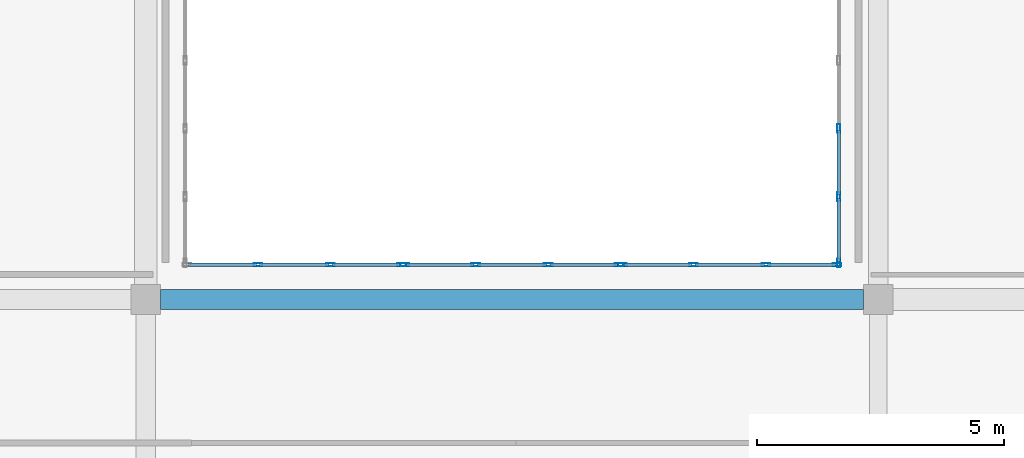
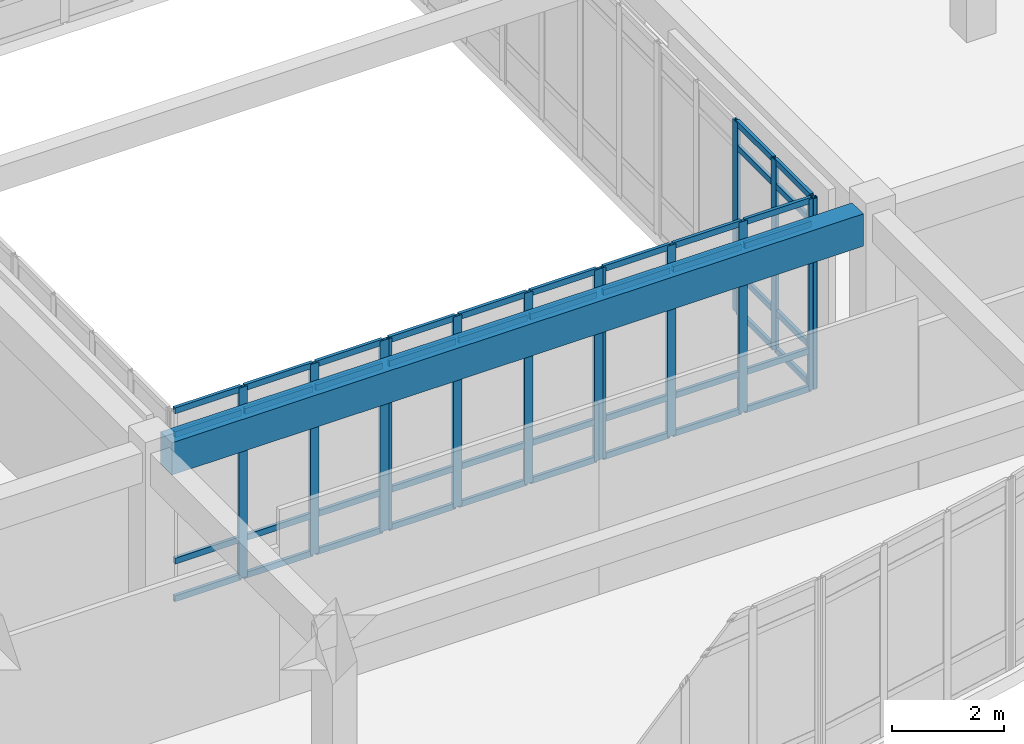
# One storey, part 85 of 142: 58 members, 1 beam, 4 elements without a shape of their own.
"""IFC4 building model written with IfcOpenShell, lengths in metres."""

from ifc_helpers import new_model, si_unit, direction, frame, origin, origin_2d, place, context, subcontext, project, spatial, rectangle, hollow_rectangle, extrude, material, layer, layer_set, material_profile, profile_set, type_object, element, aggregate, save


model = new_model("IFC4")

# Units and contexts
model_context = context("Model", 3, precision=1e-05, world=origin(), true_north=direction((0.0, 1.0)))
body_context = subcontext(model_context, "Body", "Model", "MODEL_VIEW")
ifc_project = project(units=[si_unit("LENGTHUNIT", "METRE"), si_unit("AREAUNIT", "SQUARE_METRE"), si_unit("VOLUMEUNIT", "CUBIC_METRE"), si_unit("PLANEANGLEUNIT", "RADIAN"), si_unit("MASSUNIT", "GRAM", prefix="KILO")], contexts=[model_context])

# Site, building, storey
site_placement = place(None, origin())
site = spatial("IfcSite", under=ifc_project, at=site_placement, CompositionType="ELEMENT")
building_placement = place(site_placement, origin())
building = spatial("IfcBuilding", under=site, at=building_placement, Name="Valcora Specialist Clinic", CompositionType="ELEMENT")
storey_placement = place(building_placement, frame((0.0, 0.0, 5.10009765625)))
storey = spatial("IfcBuildingStorey", under=building, at=storey_placement, Name="L01", CompositionType="ELEMENT", Elevation=5.10009765625)

# Beam
ifc_material_1 = material(Name="Concrete C40/50", Category="concrete")
ifc_material_profile_1 = material_profile(ifc_material_1, rectangle(XDim=0.39990234375, YDim=0.699951171875, at=origin_2d()), Name="RC-BM-400X700")
ifc_profile_set_1 = profile_set([ifc_material_profile_1], Name="Concrete C40/50")
beam_type = type_object("IfcBeamType", Name="TY-BM-RC400X700", PredefinedType="BEAM", material=ifc_profile_set_1)
beam_placement = place(storey_placement, frame((111.5, 81.300048828125, 3.794921875), z_axis=(1.0, 0.0, 0.0), x_axis=(0.0, 1.0, 0.0)))
element("IfcBeam", 1, at=beam_placement, inside=storey, type_object=beam_type, Name="Beam BM-L01-0628", PredefinedType="BEAM", context=body_context, shape_type="SweptSolid", body=[
    extrude(rectangle(XDim=0.39990234375, YDim=0.699951171875, at=origin_2d()), origin(), (0.0, 0.0, 1.0), 14.199951171875),
])

# Curtain wall, members
ifc_material_2 = material(Name="Anodized Bronze Aluminium 6063-T6", Category="aluminium")
ifc_layer = layer(ifc_material_2, 0.175048828125)
ifc_layer_set = layer_set([ifc_layer], Name="Anodized Bronze Aluminium 6063-T6")
curtain_wall_type = type_object("IfcCurtainWallType", Name="TY-CW-CRT15", PredefinedType="NOTDEFINED", material=ifc_layer_set)
curtain_wall_1_placement = place(storey_placement, origin())
curtain_wall_1 = element("IfcCurtainWall", 2, at=curtain_wall_1_placement, inside=storey, type_object=curtain_wall_type, Name="Curtain wall CW-L01-073", PredefinedType="NOTDEFINED")
ifc_material_profile_2 = material_profile(ifc_material_2, hollow_rectangle(XDim=0.06494140625, YDim=0.175048828125, WallThickness=0.00390625, at=origin_2d()), Name="AL-MUL-65X175")
ifc_profile_set_2 = profile_set([ifc_material_profile_2], Name="Anodized Bronze Aluminium 6063-T6")
member_type_1 = type_object("IfcMemberType", Name="TY-CWM-65X175", PredefinedType="MULLION", material=ifc_profile_set_2)
member_1_placement = place(storey_placement, frame((113.466552734375, 82.0, 0.0), z_axis=(0.0, 0.0, 1.0), x_axis=(0.0, 1.0, 0.0)))
member_1 = element("IfcMember", 3, at=member_1_placement, type_object=member_type_1, Name="CW-CRT-15 mullion 2", PredefinedType="MULLION", context=body_context, shape_type="SweptSolid", body=[
    extrude(hollow_rectangle(XDim=0.06494140625, YDim=0.175048828125, WallThickness=0.00390625, at=origin_2d()), origin(), (0.0, 0.0, 1.0), 4.14501953125),
])
member_2_placement = place(storey_placement, frame((114.933349609375, 82.0, 0.0), z_axis=(0.0, 0.0, 1.0), x_axis=(0.0, 1.0, 0.0)))
member_2 = element("IfcMember", 4, at=member_2_placement, type_object=member_type_1, Name="CW-CRT-15 mullion 3", PredefinedType="MULLION", context=body_context, shape_type="SweptSolid", body=[
    extrude(hollow_rectangle(XDim=0.06494140625, YDim=0.175048828125, WallThickness=0.00390625, at=origin_2d()), origin(), (0.0, 0.0, 1.0), 4.14501953125),
])
member_3_placement = place(storey_placement, frame((116.367431640625, 82.0, 0.0), z_axis=(0.0, 0.0, 1.0), x_axis=(0.0, 1.0, 0.0)))
member_3 = element("IfcMember", 5, at=member_3_placement, type_object=member_type_1, Name="CW-CRT-15 mullion 4", PredefinedType="MULLION", context=body_context, shape_type="SweptSolid", body=[
    extrude(hollow_rectangle(XDim=0.06494140625, YDim=0.175048828125, WallThickness=0.00390625, at=origin_2d()), origin(), (0.0, 0.0, 1.0), 4.14501953125),
])

curtain_wall_2_placement = place(storey_placement, origin())
curtain_wall_2 = element("IfcCurtainWall", 6, at=curtain_wall_2_placement, inside=storey, type_object=curtain_wall_type, Name="Curtain wall CW-L01-074", PredefinedType="NOTDEFINED")
member_4_placement = place(storey_placement, frame((116.4326171875, 82.0, 0.0), z_axis=(0.0, 0.0, 1.0), x_axis=(0.0, 1.0, 0.0)))
member_4 = element("IfcMember", 7, at=member_4_placement, type_object=member_type_1, Name="CW-CRT-15 mullion 1", PredefinedType="MULLION", context=body_context, shape_type="SweptSolid", body=[
    extrude(hollow_rectangle(XDim=0.06494140625, YDim=0.175048828125, WallThickness=0.00390625, at=origin_2d()), origin(), (0.0, 0.0, 1.0), 4.14501953125),
])
member_5_placement = place(storey_placement, frame((117.86669921875, 82.0, 0.0), z_axis=(0.0, 0.0, 1.0), x_axis=(0.0, 1.0, 0.0)))
member_5 = element("IfcMember", 8, at=member_5_placement, type_object=member_type_1, Name="CW-CRT-15 mullion 2", PredefinedType="MULLION", context=body_context, shape_type="SweptSolid", body=[
    extrude(hollow_rectangle(XDim=0.06494140625, YDim=0.175048828125, WallThickness=0.00390625, at=origin_2d()), origin(), (0.0, 0.0, 1.0), 4.14501953125),
])
member_6_placement = place(storey_placement, frame((119.333251953125, 82.0, 0.0), z_axis=(0.0, 0.0, 1.0), x_axis=(0.0, 1.0, 0.0)))
member_6 = element("IfcMember", 9, at=member_6_placement, type_object=member_type_1, Name="CW-CRT-15 mullion 3", PredefinedType="MULLION", context=body_context, shape_type="SweptSolid", body=[
    extrude(hollow_rectangle(XDim=0.06494140625, YDim=0.175048828125, WallThickness=0.00390625, at=origin_2d()), origin(), (0.0, 0.0, 1.0), 4.14501953125),
])
member_7_placement = place(storey_placement, frame((120.767578125, 82.0, 0.0), z_axis=(0.0, 0.0, 1.0), x_axis=(0.0, 1.0, 0.0)))
member_7 = element("IfcMember", 10, at=member_7_placement, type_object=member_type_1, Name="CW-CRT-15 mullion 4", PredefinedType="MULLION", context=body_context, shape_type="SweptSolid", body=[
    extrude(hollow_rectangle(XDim=0.06494140625, YDim=0.175048828125, WallThickness=0.00390625, at=origin_2d()), origin(), (0.0, 0.0, 1.0), 4.14501953125),
])

curtain_wall_3_placement = place(storey_placement, origin())
curtain_wall_3 = element("IfcCurtainWall", 11, at=curtain_wall_3_placement, inside=storey, type_object=curtain_wall_type, Name="Curtain wall CW-L01-075", PredefinedType="NOTDEFINED")
member_8_placement = place(storey_placement, frame((120.83251953125, 82.0, 0.0), z_axis=(0.0, 0.0, 1.0), x_axis=(0.0, 1.0, 0.0)))
member_8 = element("IfcMember", 12, at=member_8_placement, type_object=member_type_1, Name="CW-CRT-15 mullion 1", PredefinedType="MULLION", context=body_context, shape_type="SweptSolid", body=[
    extrude(hollow_rectangle(XDim=0.06494140625, YDim=0.175048828125, WallThickness=0.00390625, at=origin_2d()), origin(), (0.0, 0.0, 1.0), 4.14501953125),
])
member_9_placement = place(storey_placement, frame((122.2666015625, 82.0, 0.0), z_axis=(0.0, 0.0, 1.0), x_axis=(0.0, 1.0, 0.0)))
member_9 = element("IfcMember", 13, at=member_9_placement, type_object=member_type_1, Name="CW-CRT-15 mullion 2", PredefinedType="MULLION", context=body_context, shape_type="SweptSolid", body=[
    extrude(hollow_rectangle(XDim=0.06494140625, YDim=0.175048828125, WallThickness=0.00390625, at=origin_2d()), origin(), (0.0, 0.0, 1.0), 4.14501953125),
])
member_10_placement = place(storey_placement, frame((123.7333984375, 82.0, 0.0), z_axis=(0.0, 0.0, 1.0), x_axis=(0.0, 1.0, 0.0)))
member_10 = element("IfcMember", 14, at=member_10_placement, type_object=member_type_1, Name="CW-CRT-15 mullion 3", PredefinedType="MULLION", context=body_context, shape_type="SweptSolid", body=[
    extrude(hollow_rectangle(XDim=0.06494140625, YDim=0.175048828125, WallThickness=0.00390625, at=origin_2d()), origin(), (0.0, 0.0, 1.0), 4.14501953125),
])
member_11_placement = place(storey_placement, frame((125.16748046875, 82.0, 0.0), z_axis=(0.0, 0.0, 1.0), x_axis=(0.0, 1.0, 0.0)))
member_11 = element("IfcMember", 15, at=member_11_placement, type_object=member_type_1, Name="CW-CRT-15 mullion 4", PredefinedType="MULLION", context=body_context, shape_type="SweptSolid", body=[
    extrude(hollow_rectangle(XDim=0.06494140625, YDim=0.175048828125, WallThickness=0.00390625, at=origin_2d()), origin(), (0.0, 0.0, 1.0), 4.14501953125),
])

curtain_wall_4_placement = place(storey_placement, origin())
curtain_wall_4 = element("IfcCurtainWall", 16, at=curtain_wall_4_placement, inside=storey, type_object=curtain_wall_type, Name="Curtain wall CW-L01-076", PredefinedType="NOTDEFINED")
member_12_placement = place(storey_placement, frame((125.199951171875, 82.032470703125, 0.0), z_axis=(0.0, 0.0, 1.0), x_axis=(-1.0, 0.0, 0.0)))
member_12 = element("IfcMember", 17, at=member_12_placement, type_object=member_type_1, Name="CW-CRT-15 mullion 1", PredefinedType="MULLION", context=body_context, shape_type="SweptSolid", body=[
    extrude(hollow_rectangle(XDim=0.06494140625, YDim=0.175048828125, WallThickness=0.00390625, at=origin_2d()), origin(), (0.0, 0.0, 1.0), 4.14501953125),
])
member_13_placement = place(storey_placement, frame((125.199951171875, 83.375, 0.0), z_axis=(0.0, 0.0, 1.0), x_axis=(-1.0, 0.0, 0.0)))
member_13 = element("IfcMember", 18, at=member_13_placement, type_object=member_type_1, Name="CW-CRT-15 mullion 2", PredefinedType="MULLION", context=body_context, shape_type="SweptSolid", body=[
    extrude(hollow_rectangle(XDim=0.06494140625, YDim=0.175048828125, WallThickness=0.00390625, at=origin_2d()), origin(), (0.0, 0.0, 1.0), 4.14501953125),
])
member_14_placement = place(storey_placement, frame((125.199951171875, 84.75, 0.0), z_axis=(0.0, 0.0, 1.0), x_axis=(-1.0, 0.0, 0.0)))
member_14 = element("IfcMember", 19, at=member_14_placement, type_object=member_type_1, Name="CW-CRT-15 mullion 3", PredefinedType="MULLION", context=body_context, shape_type="SweptSolid", body=[
    extrude(hollow_rectangle(XDim=0.06494140625, YDim=0.175048828125, WallThickness=0.00390625, at=origin_2d()), origin(), (0.0, 0.0, 1.0), 4.14501953125),
])

# Member
ifc_material_profile_3 = material_profile(ifc_material_2, hollow_rectangle(XDim=0.06494140625, YDim=0.1298828125, WallThickness=0.00390625, at=origin_2d()), Name="AL-TRN-65X130")
ifc_profile_set_3 = profile_set([ifc_material_profile_3], Name="Anodized Bronze Aluminium 6063-T6")
member_type_2 = type_object("IfcMemberType", Name="TY-CWT-65X130", PredefinedType="USERDEFINED", material=ifc_profile_set_3)
member_15_placement = place(storey_placement, frame((112.06494140625, 82.0, 0.032470703125), z_axis=(1.0, 0.0, 0.0), x_axis=(0.0, 1.0, 0.0)))
member_15 = element("IfcMember", 20, at=member_15_placement, type_object=member_type_2, Name="CW-CRT-15 transom 1.1", ObjectType="TRANSOM", PredefinedType="USERDEFINED", context=body_context, shape_type="SweptSolid", body=[
    extrude(hollow_rectangle(XDim=0.06494140625, YDim=0.1298828125, WallThickness=0.00390625, at=origin_2d()), origin(), (0.0, 0.0, 1.0), 1.369140625),
])

member_16_placement = place(storey_placement, frame((112.06494140625, 82.0, 0.849853515625), z_axis=(1.0, 0.0, 0.0), x_axis=(0.0, 1.0, 0.0)))
member_16 = element("IfcMember", 21, at=member_16_placement, type_object=member_type_2, Name="CW-CRT-15 transom 1.2", ObjectType="TRANSOM", PredefinedType="USERDEFINED", context=body_context, shape_type="SweptSolid", body=[
    extrude(hollow_rectangle(XDim=0.06494140625, YDim=0.1298828125, WallThickness=0.00390625, at=origin_2d()), origin(), (0.0, 0.0, 1.0), 1.369140625),
])

member_17_placement = place(storey_placement, frame((112.06494140625, 82.0, 3.594970703125), z_axis=(1.0, 0.0, 0.0), x_axis=(0.0, 1.0, 0.0)))
member_17 = element("IfcMember", 22, at=member_17_placement, type_object=member_type_2, Name="CW-CRT-15 transom 1.3", ObjectType="TRANSOM", PredefinedType="USERDEFINED", context=body_context, shape_type="SweptSolid", body=[
    extrude(hollow_rectangle(XDim=0.06494140625, YDim=0.1298828125, WallThickness=0.00390625, at=origin_2d()), origin(), (0.0, 0.0, 1.0), 1.369140625),
])

member_18_placement = place(storey_placement, frame((112.06494140625, 82.0, 4.1123046875), z_axis=(1.0, 0.0, 0.0), x_axis=(0.0, 1.0, 0.0)))
member_18 = element("IfcMember", 23, at=member_18_placement, type_object=member_type_2, Name="CW-CRT-15 transom 1.4", ObjectType="TRANSOM", PredefinedType="USERDEFINED", context=body_context, shape_type="SweptSolid", body=[
    extrude(hollow_rectangle(XDim=0.06494140625, YDim=0.1298828125, WallThickness=0.00390625, at=origin_2d()), origin(), (0.0, 0.0, 1.0), 1.369140625),
])

member_19_placement = place(storey_placement, frame((113.499267578125, 82.0, 0.032470703125), z_axis=(1.0, 0.0, 0.0), x_axis=(0.0, 1.0, 0.0)))
member_19 = element("IfcMember", 24, at=member_19_placement, type_object=member_type_2, Name="CW-CRT-15 transom 2.1", ObjectType="TRANSOM", PredefinedType="USERDEFINED", context=body_context, shape_type="SweptSolid", body=[
    extrude(hollow_rectangle(XDim=0.06494140625, YDim=0.1298828125, WallThickness=0.00390625, at=origin_2d()), origin(), (0.0, 0.0, 1.0), 1.401611328125),
])

member_20_placement = place(storey_placement, frame((113.499267578125, 82.0, 0.849853515625), z_axis=(1.0, 0.0, 0.0), x_axis=(0.0, 1.0, 0.0)))
member_20 = element("IfcMember", 25, at=member_20_placement, type_object=member_type_2, Name="CW-CRT-15 transom 2.2", ObjectType="TRANSOM", PredefinedType="USERDEFINED", context=body_context, shape_type="SweptSolid", body=[
    extrude(hollow_rectangle(XDim=0.06494140625, YDim=0.1298828125, WallThickness=0.00390625, at=origin_2d()), origin(), (0.0, 0.0, 1.0), 1.401611328125),
])

member_21_placement = place(storey_placement, frame((113.499267578125, 82.0, 3.594970703125), z_axis=(1.0, 0.0, 0.0), x_axis=(0.0, 1.0, 0.0)))
member_21 = element("IfcMember", 26, at=member_21_placement, type_object=member_type_2, Name="CW-CRT-15 transom 2.3", ObjectType="TRANSOM", PredefinedType="USERDEFINED", context=body_context, shape_type="SweptSolid", body=[
    extrude(hollow_rectangle(XDim=0.06494140625, YDim=0.1298828125, WallThickness=0.00390625, at=origin_2d()), origin(), (0.0, 0.0, 1.0), 1.401611328125),
])

member_22_placement = place(storey_placement, frame((113.499267578125, 82.0, 4.1123046875), z_axis=(1.0, 0.0, 0.0), x_axis=(0.0, 1.0, 0.0)))
member_22 = element("IfcMember", 27, at=member_22_placement, type_object=member_type_2, Name="CW-CRT-15 transom 2.4", ObjectType="TRANSOM", PredefinedType="USERDEFINED", context=body_context, shape_type="SweptSolid", body=[
    extrude(hollow_rectangle(XDim=0.06494140625, YDim=0.1298828125, WallThickness=0.00390625, at=origin_2d()), origin(), (0.0, 0.0, 1.0), 1.401611328125),
])

member_23_placement = place(storey_placement, frame((114.9658203125, 82.0, 0.032470703125), z_axis=(1.0, 0.0, 0.0), x_axis=(0.0, 1.0, 0.0)))
member_23 = element("IfcMember", 28, at=member_23_placement, type_object=member_type_2, Name="CW-CRT-15 transom 3.1", ObjectType="TRANSOM", PredefinedType="USERDEFINED", context=body_context, shape_type="SweptSolid", body=[
    extrude(hollow_rectangle(XDim=0.06494140625, YDim=0.1298828125, WallThickness=0.00390625, at=origin_2d()), origin(), (0.0, 0.0, 1.0), 1.369140625),
])

member_24_placement = place(storey_placement, frame((114.9658203125, 82.0, 0.849853515625), z_axis=(1.0, 0.0, 0.0), x_axis=(0.0, 1.0, 0.0)))
member_24 = element("IfcMember", 29, at=member_24_placement, type_object=member_type_2, Name="CW-CRT-15 transom 3.2", ObjectType="TRANSOM", PredefinedType="USERDEFINED", context=body_context, shape_type="SweptSolid", body=[
    extrude(hollow_rectangle(XDim=0.06494140625, YDim=0.1298828125, WallThickness=0.00390625, at=origin_2d()), origin(), (0.0, 0.0, 1.0), 1.369140625),
])

member_25_placement = place(storey_placement, frame((114.9658203125, 82.0, 3.594970703125), z_axis=(1.0, 0.0, 0.0), x_axis=(0.0, 1.0, 0.0)))
member_25 = element("IfcMember", 30, at=member_25_placement, type_object=member_type_2, Name="CW-CRT-15 transom 3.3", ObjectType="TRANSOM", PredefinedType="USERDEFINED", context=body_context, shape_type="SweptSolid", body=[
    extrude(hollow_rectangle(XDim=0.06494140625, YDim=0.1298828125, WallThickness=0.00390625, at=origin_2d()), origin(), (0.0, 0.0, 1.0), 1.369140625),
])

member_26_placement = place(storey_placement, frame((114.9658203125, 82.0, 4.1123046875), z_axis=(1.0, 0.0, 0.0), x_axis=(0.0, 1.0, 0.0)))
member_26 = element("IfcMember", 31, at=member_26_placement, type_object=member_type_2, Name="CW-CRT-15 transom 3.4", ObjectType="TRANSOM", PredefinedType="USERDEFINED", context=body_context, shape_type="SweptSolid", body=[
    extrude(hollow_rectangle(XDim=0.06494140625, YDim=0.1298828125, WallThickness=0.00390625, at=origin_2d()), origin(), (0.0, 0.0, 1.0), 1.369140625),
])

aggregate(curtain_wall_1, [member_1, member_2, member_3, member_15, member_16, member_17, member_18, member_19, member_20, member_21, member_22, member_23, member_24, member_25, member_26])

member_27_placement = place(storey_placement, frame((116.465087890625, 82.0, 0.032470703125), z_axis=(1.0, 0.0, 0.0), x_axis=(0.0, 1.0, 0.0)))
member_27 = element("IfcMember", 32, at=member_27_placement, type_object=member_type_2, Name="CW-CRT-15 transom 1.1", ObjectType="TRANSOM", PredefinedType="USERDEFINED", context=body_context, shape_type="SweptSolid", body=[
    extrude(hollow_rectangle(XDim=0.06494140625, YDim=0.1298828125, WallThickness=0.00390625, at=origin_2d()), origin(), (0.0, 0.0, 1.0), 1.369140625),
])

member_28_placement = place(storey_placement, frame((116.465087890625, 82.0, 0.849853515625), z_axis=(1.0, 0.0, 0.0), x_axis=(0.0, 1.0, 0.0)))
member_28 = element("IfcMember", 33, at=member_28_placement, type_object=member_type_2, Name="CW-CRT-15 transom 1.2", ObjectType="TRANSOM", PredefinedType="USERDEFINED", context=body_context, shape_type="SweptSolid", body=[
    extrude(hollow_rectangle(XDim=0.06494140625, YDim=0.1298828125, WallThickness=0.00390625, at=origin_2d()), origin(), (0.0, 0.0, 1.0), 1.369140625),
])

member_29_placement = place(storey_placement, frame((116.465087890625, 82.0, 3.594970703125), z_axis=(1.0, 0.0, 0.0), x_axis=(0.0, 1.0, 0.0)))
member_29 = element("IfcMember", 34, at=member_29_placement, type_object=member_type_2, Name="CW-CRT-15 transom 1.3", ObjectType="TRANSOM", PredefinedType="USERDEFINED", context=body_context, shape_type="SweptSolid", body=[
    extrude(hollow_rectangle(XDim=0.06494140625, YDim=0.1298828125, WallThickness=0.00390625, at=origin_2d()), origin(), (0.0, 0.0, 1.0), 1.369140625),
])

member_30_placement = place(storey_placement, frame((116.465087890625, 82.0, 4.1123046875), z_axis=(1.0, 0.0, 0.0), x_axis=(0.0, 1.0, 0.0)))
member_30 = element("IfcMember", 35, at=member_30_placement, type_object=member_type_2, Name="CW-CRT-15 transom 1.4", ObjectType="TRANSOM", PredefinedType="USERDEFINED", context=body_context, shape_type="SweptSolid", body=[
    extrude(hollow_rectangle(XDim=0.06494140625, YDim=0.1298828125, WallThickness=0.00390625, at=origin_2d()), origin(), (0.0, 0.0, 1.0), 1.369140625),
])

member_31_placement = place(storey_placement, frame((117.899169921875, 82.0, 0.032470703125), z_axis=(1.0, 0.0, 0.0), x_axis=(0.0, 1.0, 0.0)))
member_31 = element("IfcMember", 36, at=member_31_placement, type_object=member_type_2, Name="CW-CRT-15 transom 2.1", ObjectType="TRANSOM", PredefinedType="USERDEFINED", context=body_context, shape_type="SweptSolid", body=[
    extrude(hollow_rectangle(XDim=0.06494140625, YDim=0.1298828125, WallThickness=0.00390625, at=origin_2d()), origin(), (0.0, 0.0, 1.0), 1.401611328125),
])

member_32_placement = place(storey_placement, frame((117.899169921875, 82.0, 0.849853515625), z_axis=(1.0, 0.0, 0.0), x_axis=(0.0, 1.0, 0.0)))
member_32 = element("IfcMember", 37, at=member_32_placement, type_object=member_type_2, Name="CW-CRT-15 transom 2.2", ObjectType="TRANSOM", PredefinedType="USERDEFINED", context=body_context, shape_type="SweptSolid", body=[
    extrude(hollow_rectangle(XDim=0.06494140625, YDim=0.1298828125, WallThickness=0.00390625, at=origin_2d()), origin(), (0.0, 0.0, 1.0), 1.401611328125),
])

member_33_placement = place(storey_placement, frame((117.899169921875, 82.0, 3.594970703125), z_axis=(1.0, 0.0, 0.0), x_axis=(0.0, 1.0, 0.0)))
member_33 = element("IfcMember", 38, at=member_33_placement, type_object=member_type_2, Name="CW-CRT-15 transom 2.3", ObjectType="TRANSOM", PredefinedType="USERDEFINED", context=body_context, shape_type="SweptSolid", body=[
    extrude(hollow_rectangle(XDim=0.06494140625, YDim=0.1298828125, WallThickness=0.00390625, at=origin_2d()), origin(), (0.0, 0.0, 1.0), 1.401611328125),
])

member_34_placement = place(storey_placement, frame((117.899169921875, 82.0, 4.1123046875), z_axis=(1.0, 0.0, 0.0), x_axis=(0.0, 1.0, 0.0)))
member_34 = element("IfcMember", 39, at=member_34_placement, type_object=member_type_2, Name="CW-CRT-15 transom 2.4", ObjectType="TRANSOM", PredefinedType="USERDEFINED", context=body_context, shape_type="SweptSolid", body=[
    extrude(hollow_rectangle(XDim=0.06494140625, YDim=0.1298828125, WallThickness=0.00390625, at=origin_2d()), origin(), (0.0, 0.0, 1.0), 1.401611328125),
])

member_35_placement = place(storey_placement, frame((119.36572265625, 82.0, 0.032470703125), z_axis=(1.0, 0.0, 0.0), x_axis=(0.0, 1.0, 0.0)))
member_35 = element("IfcMember", 40, at=member_35_placement, type_object=member_type_2, Name="CW-CRT-15 transom 3.1", ObjectType="TRANSOM", PredefinedType="USERDEFINED", context=body_context, shape_type="SweptSolid", body=[
    extrude(hollow_rectangle(XDim=0.06494140625, YDim=0.1298828125, WallThickness=0.00390625, at=origin_2d()), origin(), (0.0, 0.0, 1.0), 1.369384765625),
])

member_36_placement = place(storey_placement, frame((119.36572265625, 82.0, 0.849853515625), z_axis=(1.0, 0.0, 0.0), x_axis=(0.0, 1.0, 0.0)))
member_36 = element("IfcMember", 41, at=member_36_placement, type_object=member_type_2, Name="CW-CRT-15 transom 3.2", ObjectType="TRANSOM", PredefinedType="USERDEFINED", context=body_context, shape_type="SweptSolid", body=[
    extrude(hollow_rectangle(XDim=0.06494140625, YDim=0.1298828125, WallThickness=0.00390625, at=origin_2d()), origin(), (0.0, 0.0, 1.0), 1.369384765625),
])

member_37_placement = place(storey_placement, frame((119.36572265625, 82.0, 3.594970703125), z_axis=(1.0, 0.0, 0.0), x_axis=(0.0, 1.0, 0.0)))
member_37 = element("IfcMember", 42, at=member_37_placement, type_object=member_type_2, Name="CW-CRT-15 transom 3.3", ObjectType="TRANSOM", PredefinedType="USERDEFINED", context=body_context, shape_type="SweptSolid", body=[
    extrude(hollow_rectangle(XDim=0.06494140625, YDim=0.1298828125, WallThickness=0.00390625, at=origin_2d()), origin(), (0.0, 0.0, 1.0), 1.369384765625),
])

member_38_placement = place(storey_placement, frame((119.36572265625, 82.0, 4.1123046875), z_axis=(1.0, 0.0, 0.0), x_axis=(0.0, 1.0, 0.0)))
member_38 = element("IfcMember", 43, at=member_38_placement, type_object=member_type_2, Name="CW-CRT-15 transom 3.4", ObjectType="TRANSOM", PredefinedType="USERDEFINED", context=body_context, shape_type="SweptSolid", body=[
    extrude(hollow_rectangle(XDim=0.06494140625, YDim=0.1298828125, WallThickness=0.00390625, at=origin_2d()), origin(), (0.0, 0.0, 1.0), 1.369384765625),
])

aggregate(curtain_wall_2, [member_4, member_5, member_6, member_7, member_27, member_28, member_29, member_30, member_31, member_32, member_33, member_34, member_35, member_36, member_37, member_38])

member_39_placement = place(storey_placement, frame((120.864990234375, 82.0, 0.032470703125), z_axis=(1.0, 0.0, 0.0), x_axis=(0.0, 1.0, 0.0)))
member_39 = element("IfcMember", 44, at=member_39_placement, type_object=member_type_2, Name="CW-CRT-15 transom 1.1", ObjectType="TRANSOM", PredefinedType="USERDEFINED", context=body_context, shape_type="SweptSolid", body=[
    extrude(hollow_rectangle(XDim=0.06494140625, YDim=0.1298828125, WallThickness=0.00390625, at=origin_2d()), origin(), (0.0, 0.0, 1.0), 1.369140625),
])

member_40_placement = place(storey_placement, frame((120.864990234375, 82.0, 0.849853515625), z_axis=(1.0, 0.0, 0.0), x_axis=(0.0, 1.0, 0.0)))
member_40 = element("IfcMember", 45, at=member_40_placement, type_object=member_type_2, Name="CW-CRT-15 transom 1.2", ObjectType="TRANSOM", PredefinedType="USERDEFINED", context=body_context, shape_type="SweptSolid", body=[
    extrude(hollow_rectangle(XDim=0.06494140625, YDim=0.1298828125, WallThickness=0.00390625, at=origin_2d()), origin(), (0.0, 0.0, 1.0), 1.369140625),
])

member_41_placement = place(storey_placement, frame((120.864990234375, 82.0, 3.594970703125), z_axis=(1.0, 0.0, 0.0), x_axis=(0.0, 1.0, 0.0)))
member_41 = element("IfcMember", 46, at=member_41_placement, type_object=member_type_2, Name="CW-CRT-15 transom 1.3", ObjectType="TRANSOM", PredefinedType="USERDEFINED", context=body_context, shape_type="SweptSolid", body=[
    extrude(hollow_rectangle(XDim=0.06494140625, YDim=0.1298828125, WallThickness=0.00390625, at=origin_2d()), origin(), (0.0, 0.0, 1.0), 1.369140625),
])

member_42_placement = place(storey_placement, frame((120.864990234375, 82.0, 4.1123046875), z_axis=(1.0, 0.0, 0.0), x_axis=(0.0, 1.0, 0.0)))
member_42 = element("IfcMember", 47, at=member_42_placement, type_object=member_type_2, Name="CW-CRT-15 transom 1.4", ObjectType="TRANSOM", PredefinedType="USERDEFINED", context=body_context, shape_type="SweptSolid", body=[
    extrude(hollow_rectangle(XDim=0.06494140625, YDim=0.1298828125, WallThickness=0.00390625, at=origin_2d()), origin(), (0.0, 0.0, 1.0), 1.369140625),
])

member_43_placement = place(storey_placement, frame((122.299072265625, 82.0, 0.032470703125), z_axis=(1.0, 0.0, 0.0), x_axis=(0.0, 1.0, 0.0)))
member_43 = element("IfcMember", 48, at=member_43_placement, type_object=member_type_2, Name="CW-CRT-15 transom 2.1", ObjectType="TRANSOM", PredefinedType="USERDEFINED", context=body_context, shape_type="SweptSolid", body=[
    extrude(hollow_rectangle(XDim=0.06494140625, YDim=0.1298828125, WallThickness=0.00390625, at=origin_2d()), origin(), (0.0, 0.0, 1.0), 1.40185546875),
])

member_44_placement = place(storey_placement, frame((122.299072265625, 82.0, 0.849853515625), z_axis=(1.0, 0.0, 0.0), x_axis=(0.0, 1.0, 0.0)))
member_44 = element("IfcMember", 49, at=member_44_placement, type_object=member_type_2, Name="CW-CRT-15 transom 2.2", ObjectType="TRANSOM", PredefinedType="USERDEFINED", context=body_context, shape_type="SweptSolid", body=[
    extrude(hollow_rectangle(XDim=0.06494140625, YDim=0.1298828125, WallThickness=0.00390625, at=origin_2d()), origin(), (0.0, 0.0, 1.0), 1.40185546875),
])

member_45_placement = place(storey_placement, frame((122.299072265625, 82.0, 3.594970703125), z_axis=(1.0, 0.0, 0.0), x_axis=(0.0, 1.0, 0.0)))
member_45 = element("IfcMember", 50, at=member_45_placement, type_object=member_type_2, Name="CW-CRT-15 transom 2.3", ObjectType="TRANSOM", PredefinedType="USERDEFINED", context=body_context, shape_type="SweptSolid", body=[
    extrude(hollow_rectangle(XDim=0.06494140625, YDim=0.1298828125, WallThickness=0.00390625, at=origin_2d()), origin(), (0.0, 0.0, 1.0), 1.40185546875),
])

member_46_placement = place(storey_placement, frame((122.299072265625, 82.0, 4.1123046875), z_axis=(1.0, 0.0, 0.0), x_axis=(0.0, 1.0, 0.0)))
member_46 = element("IfcMember", 51, at=member_46_placement, type_object=member_type_2, Name="CW-CRT-15 transom 2.4", ObjectType="TRANSOM", PredefinedType="USERDEFINED", context=body_context, shape_type="SweptSolid", body=[
    extrude(hollow_rectangle(XDim=0.06494140625, YDim=0.1298828125, WallThickness=0.00390625, at=origin_2d()), origin(), (0.0, 0.0, 1.0), 1.40185546875),
])

member_47_placement = place(storey_placement, frame((123.765869140625, 82.0, 0.032470703125), z_axis=(1.0, 0.0, 0.0), x_axis=(0.0, 1.0, 0.0)))
member_47 = element("IfcMember", 52, at=member_47_placement, type_object=member_type_2, Name="CW-CRT-15 transom 3.1", ObjectType="TRANSOM", PredefinedType="USERDEFINED", context=body_context, shape_type="SweptSolid", body=[
    extrude(hollow_rectangle(XDim=0.06494140625, YDim=0.1298828125, WallThickness=0.00390625, at=origin_2d()), origin(), (0.0, 0.0, 1.0), 1.369140625),
])

member_48_placement = place(storey_placement, frame((123.765869140625, 82.0, 0.849853515625), z_axis=(1.0, 0.0, 0.0), x_axis=(0.0, 1.0, 0.0)))
member_48 = element("IfcMember", 53, at=member_48_placement, type_object=member_type_2, Name="CW-CRT-15 transom 3.2", ObjectType="TRANSOM", PredefinedType="USERDEFINED", context=body_context, shape_type="SweptSolid", body=[
    extrude(hollow_rectangle(XDim=0.06494140625, YDim=0.1298828125, WallThickness=0.00390625, at=origin_2d()), origin(), (0.0, 0.0, 1.0), 1.369140625),
])

member_49_placement = place(storey_placement, frame((123.765869140625, 82.0, 3.594970703125), z_axis=(1.0, 0.0, 0.0), x_axis=(0.0, 1.0, 0.0)))
member_49 = element("IfcMember", 54, at=member_49_placement, type_object=member_type_2, Name="CW-CRT-15 transom 3.3", ObjectType="TRANSOM", PredefinedType="USERDEFINED", context=body_context, shape_type="SweptSolid", body=[
    extrude(hollow_rectangle(XDim=0.06494140625, YDim=0.1298828125, WallThickness=0.00390625, at=origin_2d()), origin(), (0.0, 0.0, 1.0), 1.369140625),
])

member_50_placement = place(storey_placement, frame((123.765869140625, 82.0, 4.1123046875), z_axis=(1.0, 0.0, 0.0), x_axis=(0.0, 1.0, 0.0)))
member_50 = element("IfcMember", 55, at=member_50_placement, type_object=member_type_2, Name="CW-CRT-15 transom 3.4", ObjectType="TRANSOM", PredefinedType="USERDEFINED", context=body_context, shape_type="SweptSolid", body=[
    extrude(hollow_rectangle(XDim=0.06494140625, YDim=0.1298828125, WallThickness=0.00390625, at=origin_2d()), origin(), (0.0, 0.0, 1.0), 1.369140625),
])

aggregate(curtain_wall_3, [member_8, member_9, member_10, member_11, member_39, member_40, member_41, member_42, member_43, member_44, member_45, member_46, member_47, member_48, member_49, member_50])

member_51_placement = place(storey_placement, frame((125.199951171875, 82.06494140625, 0.032470703125), z_axis=(0.0, 1.0, 0.0), x_axis=(-1.0, 0.0, 0.0)))
member_51 = element("IfcMember", 56, at=member_51_placement, type_object=member_type_2, Name="CW-CRT-15 transom 1.1", ObjectType="TRANSOM", PredefinedType="USERDEFINED", context=body_context, shape_type="SweptSolid", body=[
    extrude(hollow_rectangle(XDim=0.06494140625, YDim=0.1298828125, WallThickness=0.00390625, at=origin_2d()), origin(), (0.0, 0.0, 1.0), 1.277587890625),
])

member_52_placement = place(storey_placement, frame((125.199951171875, 82.06494140625, 0.849853515625), z_axis=(0.0, 1.0, 0.0), x_axis=(-1.0, 0.0, 0.0)))
member_52 = element("IfcMember", 57, at=member_52_placement, type_object=member_type_2, Name="CW-CRT-15 transom 1.2", ObjectType="TRANSOM", PredefinedType="USERDEFINED", context=body_context, shape_type="SweptSolid", body=[
    extrude(hollow_rectangle(XDim=0.06494140625, YDim=0.1298828125, WallThickness=0.00390625, at=origin_2d()), origin(), (0.0, 0.0, 1.0), 1.277587890625),
])

member_53_placement = place(storey_placement, frame((125.199951171875, 82.06494140625, 3.594970703125), z_axis=(0.0, 1.0, 0.0), x_axis=(-1.0, 0.0, 0.0)))
member_53 = element("IfcMember", 58, at=member_53_placement, type_object=member_type_2, Name="CW-CRT-15 transom 1.3", ObjectType="TRANSOM", PredefinedType="USERDEFINED", context=body_context, shape_type="SweptSolid", body=[
    extrude(hollow_rectangle(XDim=0.06494140625, YDim=0.1298828125, WallThickness=0.00390625, at=origin_2d()), origin(), (0.0, 0.0, 1.0), 1.277587890625),
])

member_54_placement = place(storey_placement, frame((125.199951171875, 82.06494140625, 4.1123046875), z_axis=(0.0, 1.0, 0.0), x_axis=(-1.0, 0.0, 0.0)))
member_54 = element("IfcMember", 59, at=member_54_placement, type_object=member_type_2, Name="CW-CRT-15 transom 1.4", ObjectType="TRANSOM", PredefinedType="USERDEFINED", context=body_context, shape_type="SweptSolid", body=[
    extrude(hollow_rectangle(XDim=0.06494140625, YDim=0.1298828125, WallThickness=0.00390625, at=origin_2d()), origin(), (0.0, 0.0, 1.0), 1.277587890625),
])

member_55_placement = place(storey_placement, frame((125.199951171875, 83.407470703125, 0.032470703125), z_axis=(0.0, 1.0, 0.0), x_axis=(-1.0, 0.0, 0.0)))
member_55 = element("IfcMember", 60, at=member_55_placement, type_object=member_type_2, Name="CW-CRT-15 transom 2.1", ObjectType="TRANSOM", PredefinedType="USERDEFINED", context=body_context, shape_type="SweptSolid", body=[
    extrude(hollow_rectangle(XDim=0.06494140625, YDim=0.1298828125, WallThickness=0.00390625, at=origin_2d()), origin(), (0.0, 0.0, 1.0), 1.31005859375),
])

member_56_placement = place(storey_placement, frame((125.199951171875, 83.407470703125, 0.849853515625), z_axis=(0.0, 1.0, 0.0), x_axis=(-1.0, 0.0, 0.0)))
member_56 = element("IfcMember", 61, at=member_56_placement, type_object=member_type_2, Name="CW-CRT-15 transom 2.2", ObjectType="TRANSOM", PredefinedType="USERDEFINED", context=body_context, shape_type="SweptSolid", body=[
    extrude(hollow_rectangle(XDim=0.06494140625, YDim=0.1298828125, WallThickness=0.00390625, at=origin_2d()), origin(), (0.0, 0.0, 1.0), 1.31005859375),
])

member_57_placement = place(storey_placement, frame((125.199951171875, 83.407470703125, 3.594970703125), z_axis=(0.0, 1.0, 0.0), x_axis=(-1.0, 0.0, 0.0)))
member_57 = element("IfcMember", 62, at=member_57_placement, type_object=member_type_2, Name="CW-CRT-15 transom 2.3", ObjectType="TRANSOM", PredefinedType="USERDEFINED", context=body_context, shape_type="SweptSolid", body=[
    extrude(hollow_rectangle(XDim=0.06494140625, YDim=0.1298828125, WallThickness=0.00390625, at=origin_2d()), origin(), (0.0, 0.0, 1.0), 1.31005859375),
])

member_58_placement = place(storey_placement, frame((125.199951171875, 83.407470703125, 4.1123046875), z_axis=(0.0, 1.0, 0.0), x_axis=(-1.0, 0.0, 0.0)))
member_58 = element("IfcMember", 63, at=member_58_placement, type_object=member_type_2, Name="CW-CRT-15 transom 2.4", ObjectType="TRANSOM", PredefinedType="USERDEFINED", context=body_context, shape_type="SweptSolid", body=[
    extrude(hollow_rectangle(XDim=0.06494140625, YDim=0.1298828125, WallThickness=0.00390625, at=origin_2d()), origin(), (0.0, 0.0, 1.0), 1.31005859375),
])

aggregate(curtain_wall_4, [member_12, member_13, member_14, member_51, member_52, member_53, member_54, member_55, member_56, member_57, member_58])

save(model, "model.ifc")
